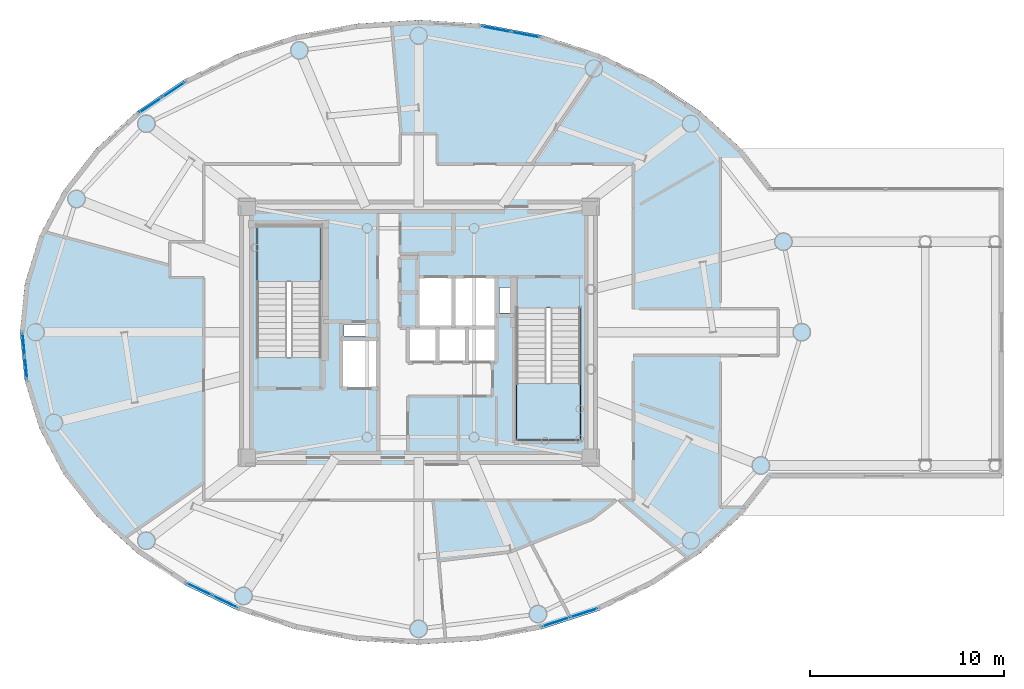
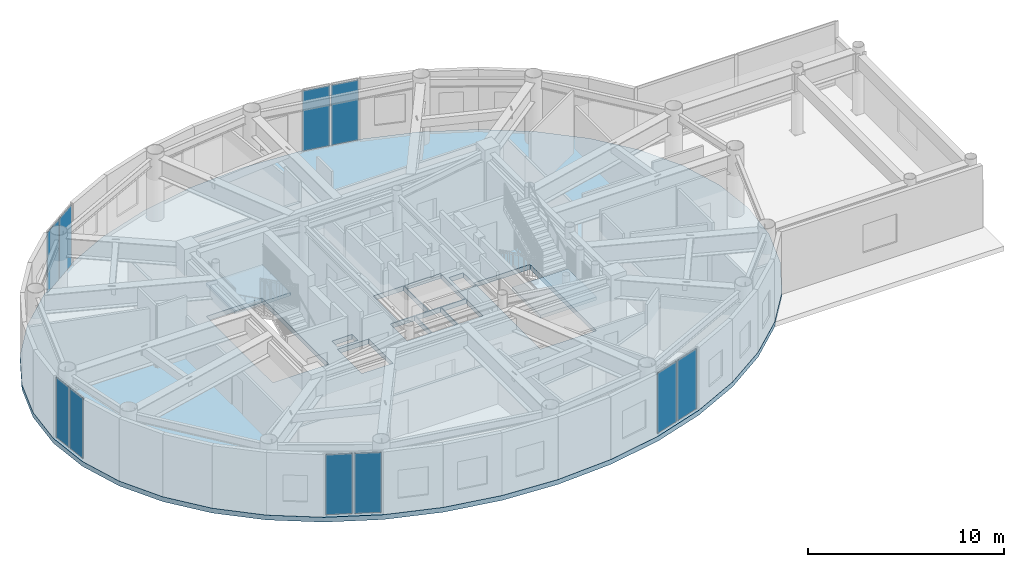
# One storey, part 13 of 26: 10 plates, 3 slabs, 7 elements without a shape of their own.
"""IFC4 building model written with IfcOpenShell, lengths in metres."""

from ifc_helpers import new_model, si_unit, direction, frame, origin, origin_2d, place, context, subcontext, project, spatial, polyline, rectangle, outline, extrude, source, transform, mapped, material, layer, layer_set, type_object, element, aggregate, save


model = new_model("IFC4")

# Units and contexts
model_context = context("Model", 3, precision=1e-05, world=origin(), true_north=direction((0.0, 1.0)))
body_context = subcontext(model_context, "Body", "Model", "MODEL_VIEW")
ifc_project = project(units=[si_unit("LENGTHUNIT", "METRE"), si_unit("AREAUNIT", "SQUARE_METRE"), si_unit("VOLUMEUNIT", "CUBIC_METRE"), si_unit("PLANEANGLEUNIT", "RADIAN"), si_unit("MASSUNIT", "GRAM", prefix="KILO")], contexts=[model_context])

# Site, building, storey
site_placement = place(None, origin())
site = spatial("IfcSite", under=ifc_project, at=site_placement, CompositionType="ELEMENT")
building_placement = place(site_placement, origin())
building = spatial("IfcBuilding", under=site, at=building_placement, Name="Linh Dai School and Residence Tower", CompositionType="ELEMENT")
storey_placement = place(building_placement, frame((0.0, 0.0, 346.800048828125)))
storey = spatial("IfcBuildingStorey", under=building, at=storey_placement, Name="L86", CompositionType="ELEMENT", Elevation=346.800048828125)

# Slab
ifc_material_1 = material(Name="Concrete B45 (C35/45)", Category="concrete")
ifc_layer_1 = layer(ifc_material_1, 0.300048828125)
ifc_layer_set_1 = layer_set([ifc_layer_1], Name="Concrete B45 (C35/45)")
slab_type_1 = type_object("IfcSlabType", Name="SLB-FLR300", PredefinedType="FLOOR", material=ifc_layer_set_1)
slab_1_placement = place(storey_placement, frame((0.0, 0.0, -0.300048828125)))
element("IfcSlab", 1, at=slab_1_placement, inside=storey, type_object=slab_type_1, Name="L86 Composite Structural Floor Slab", PredefinedType="FLOOR", context=body_context, shape_type="SweptSolid", body=[
    extrude(outline(polyline([(56.5, 27.0), (56.24755859375, 29.511474609375), (55.49658203125, 31.961181640625), (54.265625, 34.288818359375), (52.5849609375, 36.43701171875), (50.49560546875, 38.3525390625), (48.049560546875, 39.98876953125), (45.306884765625, 41.30517578125), (42.3349609375, 42.269287109375), (39.206787109375, 42.857421875), (36.0, 43.054931640625), (32.793212890625, 42.857421875), (29.6650390625, 42.269287109375), (26.693115234375, 41.30517578125), (23.950439453125, 39.98876953125), (21.50439453125, 38.3525390625), (19.4150390625, 36.43701171875), (17.734375, 34.288818359375), (16.50341796875, 31.961181640625), (15.75244140625, 29.511474609375), (15.5, 27.0), (15.75244140625, 24.488525390625), (16.50341796875, 22.038818359375), (17.734375, 19.711181640625), (19.4150390625, 17.56298828125), (21.50439453125, 15.6474609375), (23.950439453125, 14.01123046875), (26.693115234375, 12.69482421875), (29.6650390625, 11.730712890625), (32.793212890625, 11.142578125), (36.0, 10.945068359375), (39.206787109375, 11.142578125), (42.3349609375, 11.730712890625), (45.306884765625, 12.69482421875), (48.049560546875, 14.01123046875), (50.49560546875, 15.6474609375), (52.5849609375, 17.56298828125), (54.265625, 19.711181640625), (55.49658203125, 22.038818359375), (56.24755859375, 24.488525390625), (56.5, 27.0)]), holes=[polyline([(30.97998046875, 25.699951171875), (30.97998046875, 32.5), (27.679931640625, 32.5), (27.679931640625, 25.699951171875), (30.97998046875, 25.699951171875)]), polyline([(41.02001953125, 28.25), (41.02001953125, 21.449951171875), (44.320068359375, 21.449951171875), (44.320068359375, 28.25), (41.02001953125, 28.25)]), polyline([(35.97998046875, 27.280029296875), (37.77001953125, 27.280029296875), (37.77001953125, 29.820068359375), (35.97998046875, 29.820068359375), (35.97998046875, 27.280029296875)]), polyline([(32.030029296875, 24.1298828125), (33.8701171875, 24.1298828125), (33.8701171875, 26.6201171875), (32.030029296875, 26.6201171875), (32.030029296875, 24.1298828125)]), polyline([(37.830078125, 27.280029296875), (39.969970703125, 27.280029296875), (39.969970703125, 29.820068359375), (37.830078125, 29.820068359375), (37.830078125, 27.280029296875)]), polyline([(35.47998046875, 25.47998046875), (36.929931640625, 25.47998046875), (36.929931640625, 27.219970703125), (35.47998046875, 27.219970703125), (35.47998046875, 25.47998046875)]), polyline([(36.989990234375, 25.47998046875), (38.449951171875, 25.47998046875), (38.449951171875, 27.219970703125), (36.989990234375, 27.219970703125), (36.989990234375, 25.47998046875)]), polyline([(38.510009765625, 25.47998046875), (39.969970703125, 25.47998046875), (39.969970703125, 27.219970703125), (38.510009765625, 27.219970703125), (38.510009765625, 25.47998046875)]), polyline([(40.14990234375, 28.0), (40.14990234375, 29.300048828125), (41.0, 29.300048828125), (41.0, 28.280029296875), (40.989990234375, 28.280029296875), (40.989990234375, 28.0), (40.14990234375, 28.0)]), polyline([(32.14990234375, 26.800048828125), (33.35009765625, 26.800048828125), (33.35009765625, 27.39990234375), (32.14990234375, 27.39990234375), (32.14990234375, 26.800048828125)])]), origin(), (0.0, 0.0, 1.0), 0.300048828125),
])

# Stair, slab
stair_type = type_object("IfcStairType", Name="ST-DOG-1550-R1500", PredefinedType="HALF_TURN_STAIR", material=ifc_material_1)
stair_1_placement = place(storey_placement, origin())
stair_1 = element("IfcStair", 2, at=stair_1_placement, inside=storey, type_object=stair_type, Name="L86 Core Smokeproof Exit Stair ST1", PredefinedType="HALF_TURN_STAIR")
ifc_layer_2 = layer(ifc_material_1, 0.199951171875)
ifc_layer_set_2 = layer_set([ifc_layer_2], Name="Concrete B45 (C35/45)")
slab_type_2 = type_object("IfcSlabType", Name="SLB-ST-LANDING-200", PredefinedType="LANDING", material=ifc_layer_set_2)
slab_2_placement = place(storey_placement, frame((0.0, 0.0, 1.89990234375)))
slab_2 = element("IfcSlab", 3, at=slab_2_placement, type_object=slab_type_2, Name="ST1 landing 1", PredefinedType="LANDING", context=body_context, shape_type="SweptSolid", body=[
    extrude(outline(polyline([(30.97998046875, 29.60009765625), (30.97998046875, 32.5), (27.679931640625, 32.5), (27.679931640625, 29.60009765625), (30.97998046875, 29.60009765625)])), origin(), (0.0, 0.0, 1.0), 0.199951171875),
])
aggregate(stair_1, [slab_2])

stair_2_placement = place(storey_placement, origin())
stair_2 = element("IfcStair", 4, at=stair_2_placement, inside=storey, type_object=stair_type, Name="L86 Core Smokeproof Exit Stair ST2", PredefinedType="HALF_TURN_STAIR")
slab_3_placement = place(storey_placement, frame((0.0, 0.0, 1.89990234375)))
slab_3 = element("IfcSlab", 5, at=slab_3_placement, type_object=slab_type_2, Name="ST2 landing 1", PredefinedType="LANDING", context=body_context, shape_type="SweptSolid", body=[
    extrude(outline(polyline([(41.02001953125, 24.35009765625), (41.02001953125, 21.449951171875), (44.320068359375, 21.449951171875), (44.320068359375, 24.35009765625), (41.02001953125, 24.35009765625)])), origin(), (0.0, 0.0, 1.0), 0.199951171875),
])
aggregate(stair_2, [slab_3])

# Curtain wall, plates
ifc_material_2 = material(Name="Aluminium Anodised Curtain Wall", Category="aluminium")
ifc_layer_3 = layer(ifc_material_2, 0.199951171875)
ifc_layer_set_3 = layer_set([ifc_layer_3], Name="Aluminium Anodised Curtain Wall")
curtain_wall_type = type_object("IfcCurtainWallType", Name="CW-SYS-6", PredefinedType="USERDEFINED", material=ifc_layer_set_3)
curtain_wall_1_placement = place(storey_placement, origin())
curtain_wall_1 = element("IfcCurtainWall", 6, at=curtain_wall_1_placement, inside=storey, type_object=curtain_wall_type, Name="L86 CW6 Curtain Wall 09", ObjectType="UNITISED CURTAIN WALL", PredefinedType="USERDEFINED")
ifc_material_3 = material(Name="Double Low-E Insulated Glazing", Category="glass")
ifc_layer_4 = layer(ifc_material_3, 0.035888671875)
ifc_layer_set_4 = layer_set([ifc_layer_4], Name="Double Low-E Insulated Glazing")
plate_type = type_object("IfcPlateType", Name="CW-SYS-6-PAN", PredefinedType="CURTAIN_PANEL", material=ifc_layer_set_4)
shared_shape_1 = source(origin(), body_context, "Body", "SweptSolid", [
    extrude(rectangle(XDim=1.470947265625, YDim=0.035888671875, at=origin_2d()), origin(), (0.0, 0.0, 1.0), 3.75),
])
plate_1_placement = place(storey_placement, frame((39.988037109375, 42.58349609375, 0.074951171875), z_axis=(0.0, 0.0, 1.0), x_axis=(0.982779051851, -0.184784564405, 0.0)))
plate_1 = element("IfcPlate", 7, at=plate_1_placement, type_object=plate_type, Name="CW6 panel 1.1", PredefinedType="CURTAIN_PANEL", context=body_context, shape_type="MappedRepresentation", body=[
    mapped(shared_shape_1, transform((0.0, 0.0, 0.0), x_axis=(1.0, 0.0, 0.0), y_axis=(0.0, 1.0, 0.0), z_axis=(0.0, 0.0, 1.0), scale=1.0)),
])
plate_2_placement = place(storey_placement, frame((41.507568359375, 42.2978515625, 0.074951171875), z_axis=(0.0, 0.0, 1.0), x_axis=(0.982779051851, -0.184784564405, 0.0)))
plate_2 = element("IfcPlate", 8, at=plate_2_placement, type_object=plate_type, Name="CW6 panel 2.1", PredefinedType="CURTAIN_PANEL", context=body_context, shape_type="MappedRepresentation", body=[
    mapped(shared_shape_1, transform((0.0, 0.0, 0.0), x_axis=(1.0, 0.0, 0.0), y_axis=(0.0, 1.0, 0.0), z_axis=(0.0, 0.0, 1.0), scale=1.0)),
])
aggregate(curtain_wall_1, [plate_1, plate_2])

curtain_wall_2_placement = place(storey_placement, origin())
curtain_wall_2 = element("IfcCurtainWall", 9, at=curtain_wall_2_placement, inside=storey, type_object=curtain_wall_type, Name="L86 CW6 Curtain Wall 15", ObjectType="UNITISED CURTAIN WALL", PredefinedType="USERDEFINED")
shared_shape_2 = source(origin(), body_context, "Body", "SweptSolid", [
    extrude(rectangle(XDim=1.349853515625, YDim=0.035888671875, at=origin_2d()), origin(), (0.0, 0.0, 1.0), 3.75),
])
plate_3_placement = place(storey_placement, frame((22.20458984375, 38.671142578125, 0.074951171875), z_axis=(0.0, 0.0, 1.0), x_axis=(0.831201837679, 0.555970777144, 0.0)))
plate_3 = element("IfcPlate", 10, at=plate_3_placement, type_object=plate_type, Name="CW6 panel 1.1", PredefinedType="CURTAIN_PANEL", context=body_context, shape_type="MappedRepresentation", body=[
    mapped(shared_shape_2, transform((0.0, 0.0, 0.0), x_axis=(1.0, 0.0, 0.0), y_axis=(0.0, 1.0, 0.0), z_axis=(0.0, 0.0, 1.0), scale=1.0)),
])
plate_4_placement = place(storey_placement, frame((23.388916015625, 39.463134765625, 0.074951171875), z_axis=(0.0, 0.0, 1.0), x_axis=(0.831201837679, 0.555970777144, 0.0)))
plate_4 = element("IfcPlate", 11, at=plate_4_placement, type_object=plate_type, Name="CW6 panel 2.1", PredefinedType="CURTAIN_PANEL", context=body_context, shape_type="MappedRepresentation", body=[
    mapped(shared_shape_2, transform((0.0, 0.0, 0.0), x_axis=(1.0, 0.0, 0.0), y_axis=(0.0, 1.0, 0.0), z_axis=(0.0, 0.0, 1.0), scale=1.0)),
])
aggregate(curtain_wall_2, [plate_3, plate_4])

curtain_wall_3_placement = place(storey_placement, origin())
curtain_wall_3 = element("IfcCurtainWall", 12, at=curtain_wall_3_placement, inside=storey, type_object=curtain_wall_type, Name="L86 CW6 Curtain Wall 21", ObjectType="UNITISED CURTAIN WALL", PredefinedType="USERDEFINED")
shared_shape_3 = source(origin(), body_context, "Body", "SweptSolid", [
    extrude(rectangle(XDim=1.13720703125, YDim=0.035888671875, at=origin_2d()), origin(), (0.0, 0.0, 1.0), 3.75),
])
plate_5_placement = place(storey_placement, frame((15.810546875, 25.153564453125, 0.074951171875), z_axis=(0.0, 0.0, 1.0), x_axis=(-0.099991763355, 0.994988264886, 0.0)))
plate_5 = element("IfcPlate", 13, at=plate_5_placement, type_object=plate_type, Name="CW6 panel 1.1", PredefinedType="CURTAIN_PANEL", context=body_context, shape_type="MappedRepresentation", body=[
    mapped(shared_shape_3, transform((0.0, 0.0, 0.0), x_axis=(1.0, 0.0, 0.0), y_axis=(0.0, 1.0, 0.0), z_axis=(0.0, 0.0, 1.0), scale=1.0)),
])
plate_6_placement = place(storey_placement, frame((15.689453125, 26.359619140625, 0.074951171875), z_axis=(0.0, 0.0, 1.0), x_axis=(-0.099991763355, 0.994988264886, 0.0)))
plate_6 = element("IfcPlate", 14, at=plate_6_placement, type_object=plate_type, Name="CW6 panel 2.1", PredefinedType="CURTAIN_PANEL", context=body_context, shape_type="MappedRepresentation", body=[
    mapped(shared_shape_3, transform((0.0, 0.0, 0.0), x_axis=(1.0, 0.0, 0.0), y_axis=(0.0, 1.0, 0.0), z_axis=(0.0, 0.0, 1.0), scale=1.0)),
])
aggregate(curtain_wall_3, [plate_5, plate_6])

curtain_wall_4_placement = place(storey_placement, origin())
curtain_wall_4 = element("IfcCurtainWall", 15, at=curtain_wall_4_placement, inside=storey, type_object=curtain_wall_type, Name="L86 CW6 Curtain Wall 27", ObjectType="UNITISED CURTAIN WALL", PredefinedType="USERDEFINED")
shared_shape_4 = source(origin(), body_context, "Body", "SweptSolid", [
    extrude(rectangle(XDim=1.400146484375, YDim=0.035888671875, at=origin_2d()), origin(), (0.0, 0.0, 1.0), 3.75),
])
plate_7_placement = place(storey_placement, frame((26.040771484375, 13.146240234375, 0.074951171875), z_axis=(0.0, 0.0, 1.0), x_axis=(-0.901550652892, 0.432673572419, 0.0)))
plate_7 = element("IfcPlate", 16, at=plate_7_placement, type_object=plate_type, Name="CW6 panel 1.1", PredefinedType="CURTAIN_PANEL", context=body_context, shape_type="MappedRepresentation", body=[
    mapped(shared_shape_4, transform((0.0, 0.0, 0.0), x_axis=(1.0, 0.0, 0.0), y_axis=(0.0, 1.0, 0.0), z_axis=(0.0, 0.0, 1.0), scale=1.0)),
])
plate_8_placement = place(storey_placement, frame((24.7109375, 13.784423828125, 0.074951171875), z_axis=(0.0, 0.0, 1.0), x_axis=(-0.901550652892, 0.432673572419, 0.0)))
plate_8 = element("IfcPlate", 17, at=plate_8_placement, type_object=plate_type, Name="CW6 panel 2.1", PredefinedType="CURTAIN_PANEL", context=body_context, shape_type="MappedRepresentation", body=[
    mapped(shared_shape_4, transform((0.0, 0.0, 0.0), x_axis=(1.0, 0.0, 0.0), y_axis=(0.0, 1.0, 0.0), z_axis=(0.0, 0.0, 1.0), scale=1.0)),
])
aggregate(curtain_wall_4, [plate_7, plate_8])

curtain_wall_5_placement = place(storey_placement, origin())
curtain_wall_5 = element("IfcCurtainWall", 18, at=curtain_wall_5_placement, inside=storey, type_object=curtain_wall_type, Name="L86 CW6 Curtain Wall 33", ObjectType="UNITISED CURTAIN WALL", PredefinedType="USERDEFINED")
shared_shape_5 = source(origin(), body_context, "Body", "SweptSolid", [
    extrude(rectangle(XDim=1.441650390625, YDim=0.035888671875, at=origin_2d()), origin(), (0.0, 0.0, 1.0), 3.75),
])
plate_9_placement = place(storey_placement, frame((44.50341796875, 12.5654296875, 0.074951171875), z_axis=(0.0, 0.0, 1.0), x_axis=(-0.951203168298, -0.30856528097, 0.0)))
plate_9 = element("IfcPlate", 19, at=plate_9_placement, type_object=plate_type, Name="CW6 panel 1.1", PredefinedType="CURTAIN_PANEL", context=body_context, shape_type="MappedRepresentation", body=[
    mapped(shared_shape_5, transform((0.0, 0.0, 0.0), x_axis=(1.0, 0.0, 0.0), y_axis=(0.0, 1.0, 0.0), z_axis=(0.0, 0.0, 1.0), scale=1.0)),
])
plate_10_placement = place(storey_placement, frame((43.06103515625, 12.097412109375, 0.074951171875), z_axis=(0.0, 0.0, 1.0), x_axis=(-0.951203168298, -0.30856528097, 0.0)))
plate_10 = element("IfcPlate", 20, at=plate_10_placement, type_object=plate_type, Name="CW6 panel 2.1", PredefinedType="CURTAIN_PANEL", context=body_context, shape_type="MappedRepresentation", body=[
    mapped(shared_shape_5, transform((0.0, 0.0, 0.0), x_axis=(1.0, 0.0, 0.0), y_axis=(0.0, 1.0, 0.0), z_axis=(0.0, 0.0, 1.0), scale=1.0)),
])
aggregate(curtain_wall_5, [plate_9, plate_10])

save(model, "model.ifc")
